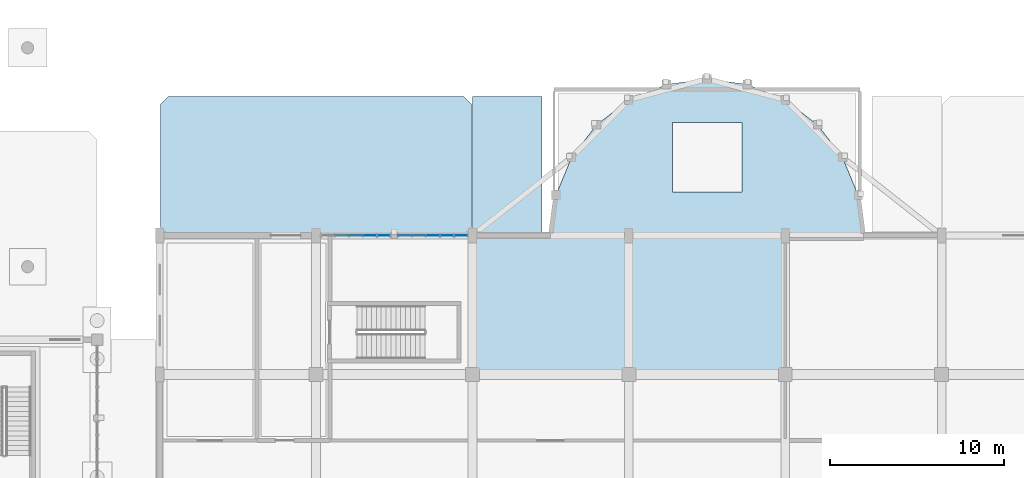
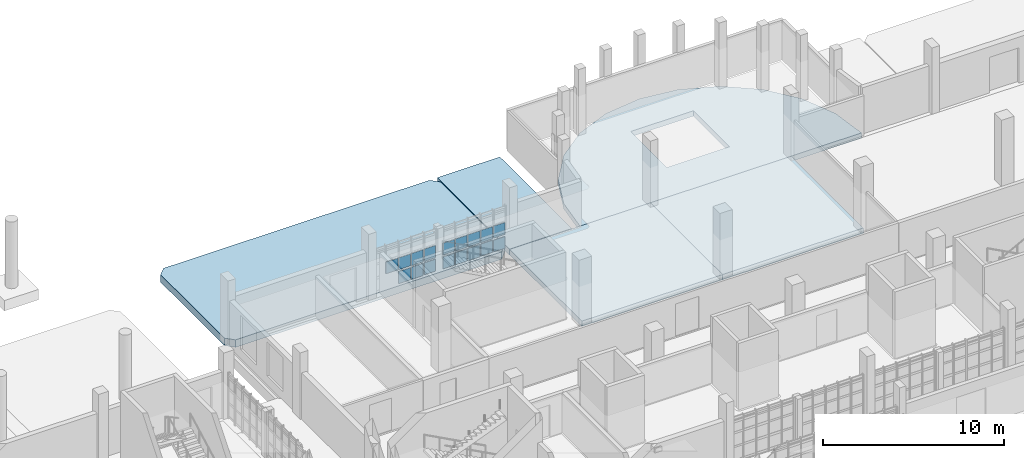
# One storey, part 33 of 63: 17 plates, 5 slabs, 2 elements without a shape of their own.
"""IFC4 building model written with IfcOpenShell, lengths in metres."""

from ifc_helpers import new_model, si_unit, direction, frame, origin, origin_2d, place, context, subcontext, project, spatial, polyline, rectangle, outline, extrude, material, layer, layer_set, type_object, element, aggregate, save


model = new_model("IFC4")

# Units and contexts
model_context = context("Model", 3, precision=1e-05, world=origin(), true_north=direction((0.0, 1.0)))
body_context = subcontext(model_context, "Body", "Model", "MODEL_VIEW")
ifc_project = project(units=[si_unit("LENGTHUNIT", "METRE"), si_unit("AREAUNIT", "SQUARE_METRE"), si_unit("VOLUMEUNIT", "CUBIC_METRE"), si_unit("PLANEANGLEUNIT", "RADIAN"), si_unit("MASSUNIT", "GRAM", prefix="KILO")], contexts=[model_context])

# Site, building, storey
site_placement = place(None, origin())
site = spatial("IfcSite", under=ifc_project, at=site_placement, CompositionType="ELEMENT")
building_placement = place(site_placement, origin())
building = spatial("IfcBuilding", under=site, at=building_placement, Name="Serraforn Aerial Cableway Station", CompositionType="ELEMENT")
storey_placement = place(building_placement, origin())
storey = spatial("IfcBuildingStorey", under=building, at=storey_placement, Name="L00", CompositionType="ELEMENT", Elevation=0.0)

# Curtain wall, plates
ifc_material_1 = material(Name="Anodised bronze unitised curtain wall")
curtain_wall_type_1 = type_object("IfcCurtainWallType", Name="CW-SYS-1", PredefinedType="USERDEFINED", material=ifc_material_1)
curtain_wall_1_placement = place(storey_placement, origin())
curtain_wall_1 = element("IfcCurtainWall", 1, at=curtain_wall_1_placement, inside=storey, type_object=curtain_wall_type_1, Name="Unitised Curtain Wall CW-CV-L00-N2A", ObjectType="UNITISED CURTAIN WALL", PredefinedType="USERDEFINED")
ifc_material_2 = material(Name="Solar-control low-E double glazing", Category="glass")
ifc_layer_1 = layer(ifc_material_2, 0.028076171875)
ifc_layer_set_1 = layer_set([ifc_layer_1], Name="Solar-control low-E double glazing")
plate_type_1 = type_object("IfcPlateType", Name="CW-GLZ-2", PredefinedType="CURTAIN_PANEL", material=ifc_layer_set_1)
plate_1_placement = place(storey_placement, frame((44.9296875, 42.0, 0.19775390625), z_axis=(0.0, 0.0, 1.0), x_axis=(1.0, 0.0, 0.0)))
plate_1 = element("IfcPlate", 2, at=plate_1_placement, type_object=plate_type_1, Name="Curtain Wall Panel CW-CV-L00-N2A-P1-1", PredefinedType="CURTAIN_PANEL", context=body_context, shape_type="SweptSolid", body=[
    extrude(rectangle(XDim=0.718505859375, YDim=0.028076171875, at=origin_2d()), origin(), (0.0, 0.0, 1.0), 0.782470703125),
])
ifc_layer_2 = layer(ifc_material_2, 0.030029296875)
ifc_layer_set_2 = layer_set([ifc_layer_2], Name="Solar-control low-E double glazing")
plate_type_2 = type_object("IfcPlateType", Name="CW-GLZ-3", PredefinedType="CURTAIN_PANEL", material=ifc_layer_set_2)
plate_2_placement = place(storey_placement, frame((44.9296875, 42.0, 1.14111328125), z_axis=(0.0, 0.0, 1.0), x_axis=(1.0, 0.0, 0.0)))
plate_2 = element("IfcPlate", 3, at=plate_2_placement, type_object=plate_type_2, Name="Curtain Wall Panel CW-CV-L00-N2A-P1-2", PredefinedType="CURTAIN_PANEL", context=body_context, shape_type="SweptSolid", body=[
    extrude(rectangle(XDim=0.718505859375, YDim=0.030029296875, at=origin_2d()), origin(), (0.0, 0.0, 1.0), 0.802490234375),
])
plate_3_placement = place(storey_placement, frame((44.131591796875, 42.0, 0.20556640625), z_axis=(0.0, 0.0, 1.0), x_axis=(1.0, 0.0, 0.0)))
plate_3 = element("IfcPlate", 4, at=plate_3_placement, type_object=plate_type_2, Name="Curtain Wall Panel CW-CV-L00-N2A-P2-1", PredefinedType="CURTAIN_PANEL", context=body_context, shape_type="SweptSolid", body=[
    extrude(rectangle(XDim=0.745849609375, YDim=0.030029296875, at=origin_2d()), origin(), (0.0, 0.0, 1.0), 0.802490234375),
])

# Curtain wall, plate
curtain_wall_type_2 = type_object("IfcCurtainWallType", Name="CW-SYS-2", PredefinedType="USERDEFINED", material=ifc_material_1)
curtain_wall_2_placement = place(storey_placement, origin())
curtain_wall_2 = element("IfcCurtainWall", 5, at=curtain_wall_2_placement, inside=storey, type_object=curtain_wall_type_2, Name="Unitised Curtain Wall CW-CV-L00-N2B", ObjectType="UNITISED CURTAIN WALL", PredefinedType="USERDEFINED")
plate_4_placement = place(storey_placement, frame((40.49658203125, 42.0, 0.20556640625), z_axis=(0.0, 0.0, 1.0), x_axis=(1.0, 0.0, 0.0)))
plate_4 = element("IfcPlate", 6, at=plate_4_placement, type_object=plate_type_2, Name="Curtain Wall Panel CW-CV-L00-N2B-P1-1", PredefinedType="CURTAIN_PANEL", context=body_context, shape_type="SweptSolid", body=[
    extrude(rectangle(XDim=0.7109375, YDim=0.030029296875, at=origin_2d()), origin(), (0.0, 0.0, 1.0), 0.802490234375),
])

# Plate
ifc_layer_3 = layer(ifc_material_2, 0.031982421875)
ifc_layer_set_3 = layer_set([ifc_layer_3], Name="Solar-control low-E double glazing")
plate_type_3 = type_object("IfcPlateType", Name="CW-GLZ-4", PredefinedType="CURTAIN_PANEL", material=ifc_layer_set_3)
plate_5_placement = place(storey_placement, frame((44.131591796875, 42.0, 1.11376953125), z_axis=(0.0, 0.0, 1.0), x_axis=(1.0, 0.0, 0.0)))
plate_5 = element("IfcPlate", 7, at=plate_5_placement, type_object=plate_type_3, Name="Curtain Wall Panel CW-CV-L00-N2A-P2-2", PredefinedType="CURTAIN_PANEL", context=body_context, shape_type="SweptSolid", body=[
    extrude(rectangle(XDim=0.745849609375, YDim=0.031982421875, at=origin_2d()), origin(), (0.0, 0.0, 1.0), 0.824951171875),
])

plate_6_placement = place(storey_placement, frame((43.31103515625, 42.0, 0.177734375), z_axis=(0.0, 0.0, 1.0), x_axis=(1.0, 0.0, 0.0)))
plate_6 = element("IfcPlate", 8, at=plate_6_placement, type_object=plate_type_3, Name="Curtain Wall Panel CW-CV-L00-N2A-P3-1", PredefinedType="CURTAIN_PANEL", context=body_context, shape_type="SweptSolid", body=[
    extrude(rectangle(XDim=0.75341796875, YDim=0.031982421875, at=origin_2d()), origin(), (0.0, 0.0, 1.0), 0.824951171875),
])

plate_7_placement = place(storey_placement, frame((40.49658203125, 42.0, 1.11376953125), z_axis=(0.0, 0.0, 1.0), x_axis=(1.0, 0.0, 0.0)))
plate_7 = element("IfcPlate", 9, at=plate_7_placement, type_object=plate_type_3, Name="Curtain Wall Panel CW-CV-L00-N2B-P1-2", PredefinedType="CURTAIN_PANEL", context=body_context, shape_type="SweptSolid", body=[
    extrude(rectangle(XDim=0.7109375, YDim=0.031982421875, at=origin_2d()), origin(), (0.0, 0.0, 1.0), 0.824951171875),
])

plate_8_placement = place(storey_placement, frame((39.693359375, 42.0, 0.177734375), z_axis=(0.0, 0.0, 1.0), x_axis=(1.0, 0.0, 0.0)))
plate_8 = element("IfcPlate", 10, at=plate_8_placement, type_object=plate_type_3, Name="Curtain Wall Panel CW-CV-L00-N2B-P2-1", PredefinedType="CURTAIN_PANEL", context=body_context, shape_type="SweptSolid", body=[
    extrude(rectangle(XDim=0.75341796875, YDim=0.031982421875, at=origin_2d()), origin(), (0.0, 0.0, 1.0), 0.824951171875),
])

ifc_layer_4 = layer(ifc_material_2, 0.033935546875)
ifc_layer_set_4 = layer_set([ifc_layer_4], Name="Solar-control low-E double glazing")
plate_type_4 = type_object("IfcPlateType", Name="CW-GLZ-5", PredefinedType="CURTAIN_PANEL", material=ifc_layer_set_4)
plate_9_placement = place(storey_placement, frame((43.31103515625, 42.0, 1.118896484375), z_axis=(0.0, 0.0, 1.0), x_axis=(1.0, 0.0, 0.0)))
plate_9 = element("IfcPlate", 11, at=plate_9_placement, type_object=plate_type_4, Name="Curtain Wall Panel CW-CV-L00-N2A-P3-2", PredefinedType="CURTAIN_PANEL", context=body_context, shape_type="SweptSolid", body=[
    extrude(rectangle(XDim=0.75341796875, YDim=0.033935546875, at=origin_2d()), origin(), (0.0, 0.0, 1.0), 0.8125),
])

plate_10_placement = place(storey_placement, frame((42.5029296875, 42.0, 0.182861328125), z_axis=(0.0, 0.0, 1.0), x_axis=(1.0, 0.0, 0.0)))
plate_10 = element("IfcPlate", 12, at=plate_10_placement, type_object=plate_type_4, Name="Curtain Wall Panel CW-CV-L00-N2A-P4-1", PredefinedType="CURTAIN_PANEL", context=body_context, shape_type="SweptSolid", body=[
    extrude(rectangle(XDim=0.760986328125, YDim=0.033935546875, at=origin_2d()), origin(), (0.0, 0.0, 1.0), 0.8125),
])

plate_11_placement = place(storey_placement, frame((39.693359375, 42.0, 1.118896484375), z_axis=(0.0, 0.0, 1.0), x_axis=(1.0, 0.0, 0.0)))
plate_11 = element("IfcPlate", 13, at=plate_11_placement, type_object=plate_type_4, Name="Curtain Wall Panel CW-CV-L00-N2B-P2-2", PredefinedType="CURTAIN_PANEL", context=body_context, shape_type="SweptSolid", body=[
    extrude(rectangle(XDim=0.75341796875, YDim=0.033935546875, at=origin_2d()), origin(), (0.0, 0.0, 1.0), 0.8125),
])

plate_12_placement = place(storey_placement, frame((38.88525390625, 42.0, 0.182861328125), z_axis=(0.0, 0.0, 1.0), x_axis=(1.0, 0.0, 0.0)))
plate_12 = element("IfcPlate", 14, at=plate_12_placement, type_object=plate_type_4, Name="Curtain Wall Panel CW-CV-L00-N2B-P3-1", PredefinedType="CURTAIN_PANEL", context=body_context, shape_type="SweptSolid", body=[
    extrude(rectangle(XDim=0.760986328125, YDim=0.033935546875, at=origin_2d()), origin(), (0.0, 0.0, 1.0), 0.8125),
])

ifc_layer_5 = layer(ifc_material_2, 0.035888671875)
ifc_layer_set_5 = layer_set([ifc_layer_5], Name="Solar-control low-E double glazing")
plate_type_5 = type_object("IfcPlateType", Name="CW-GLZ-6", PredefinedType="CURTAIN_PANEL", material=ifc_layer_set_5)
plate_13_placement = place(storey_placement, frame((42.5029296875, 42.0, 1.1259765625), z_axis=(0.0, 0.0, 1.0), x_axis=(1.0, 0.0, 0.0)))
plate_13 = element("IfcPlate", 15, at=plate_13_placement, type_object=plate_type_5, Name="Curtain Wall Panel CW-CV-L00-N2A-P4-2", PredefinedType="CURTAIN_PANEL", context=body_context, shape_type="SweptSolid", body=[
    extrude(rectangle(XDim=0.760986328125, YDim=0.035888671875, at=origin_2d()), origin(), (0.0, 0.0, 1.0), 0.797607421875),
])

plate_14_placement = place(storey_placement, frame((41.70458984375, 42.0, 0.1904296875), z_axis=(0.0, 0.0, 1.0), x_axis=(1.0, 0.0, 0.0)))
plate_14 = element("IfcPlate", 16, at=plate_14_placement, type_object=plate_type_5, Name="Curtain Wall Panel CW-CV-L00-N2A-P5-1", PredefinedType="CURTAIN_PANEL", context=body_context, shape_type="SweptSolid", body=[
    extrude(rectangle(XDim=0.723388671875, YDim=0.035888671875, at=origin_2d()), origin(), (0.0, 0.0, 1.0), 0.797607421875),
])

plate_15_placement = place(storey_placement, frame((38.88525390625, 42.0, 1.1259765625), z_axis=(0.0, 0.0, 1.0), x_axis=(1.0, 0.0, 0.0)))
plate_15 = element("IfcPlate", 17, at=plate_15_placement, type_object=plate_type_5, Name="Curtain Wall Panel CW-CV-L00-N2B-P3-2", PredefinedType="CURTAIN_PANEL", context=body_context, shape_type="SweptSolid", body=[
    extrude(rectangle(XDim=0.760986328125, YDim=0.035888671875, at=origin_2d()), origin(), (0.0, 0.0, 1.0), 0.797607421875),
])

ifc_layer_6 = layer(ifc_material_2, 0.029052734375)
ifc_layer_set_6 = layer_set([ifc_layer_6], Name="Solar-control low-E double glazing")
plate_type_6 = type_object("IfcPlateType", Name="CW-GLZ-7", PredefinedType="CURTAIN_PANEL", material=ifc_layer_set_6)
plate_16_placement = place(storey_placement, frame((41.70458984375, 42.0, 1.1337890625), z_axis=(0.0, 0.0, 1.0), x_axis=(1.0, 0.0, 0.0)))
plate_16 = element("IfcPlate", 18, at=plate_16_placement, type_object=plate_type_6, Name="Curtain Wall Panel CW-CV-L00-N2A-P5-2", PredefinedType="CURTAIN_PANEL", context=body_context, shape_type="SweptSolid", body=[
    extrude(rectangle(XDim=0.723388671875, YDim=0.029052734375, at=origin_2d()), origin(), (0.0, 0.0, 1.0), 0.782470703125),
])

aggregate(curtain_wall_1, [plate_1, plate_2, plate_3, plate_5, plate_6, plate_9, plate_10, plate_13, plate_14, plate_16])

plate_17_placement = place(storey_placement, frame((38.07080078125, 42.0, 1.1337890625), z_axis=(0.0, 0.0, 1.0), x_axis=(1.0, 0.0, 0.0)))
plate_17 = element("IfcPlate", 19, at=plate_17_placement, type_object=plate_type_6, Name="Curtain Wall Panel CW-CV-L00-N2B-P4-2", PredefinedType="CURTAIN_PANEL", context=body_context, shape_type="SweptSolid", body=[
    extrude(rectangle(XDim=0.755859375, YDim=0.029052734375, at=origin_2d()), origin(), (0.0, 0.0, 1.0), 0.782470703125),
])

aggregate(curtain_wall_2, [plate_4, plate_7, plate_8, plate_11, plate_12, plate_15, plate_17])

# Slabs
ifc_material_3 = material(Name="Concrete C40/50", Category="concrete")
ifc_layer_7 = layer(ifc_material_3, 0.360107421875)
ifc_layer_set_7 = layer_set([ifc_layer_7], Name="Concrete C40/50")
slab_type_1 = type_object("IfcSlabType", Name="SLB-FLR-360", PredefinedType="FLOOR", material=ifc_layer_set_7)
slab_1_placement = place(storey_placement, frame((0.0, 0.0, -0.360107421875)))
element("IfcSlab", 20, at=slab_1_placement, inside=storey, type_object=slab_type_1, Name="Floor Slab CV-L00-3-3", PredefinedType="FLOOR", context=body_context, shape_type="SweptSolid", body=[
    extrude(outline(polyline([(45.60009765625, 34.0), (54.60009765625, 34.0), (54.60009765625, 42.0), (45.60009765625, 42.0), (45.60009765625, 34.0)])), origin(), (0.0, 0.0, 1.0), 0.360107421875),
])
slab_2_placement = place(storey_placement, frame((0.0, 0.0, -0.360107421875)))
element("IfcSlab", 21, at=slab_2_placement, inside=storey, type_object=slab_type_1, Name="Floor Slab CV-L00-4-3", PredefinedType="FLOOR", context=body_context, shape_type="SweptSolid", body=[
    extrude(outline(polyline([(54.60009765625, 34.0), (63.60009765625, 34.0), (63.60009765625, 42.0), (54.60009765625, 42.0), (54.60009765625, 34.0)])), origin(), (0.0, 0.0, 1.0), 0.360107421875),
])
slab_3_placement = place(storey_placement, frame((0.0, 0.0, -0.360107421875)))
element("IfcSlab", 22, at=slab_3_placement, inside=storey, type_object=slab_type_1, Name="Bullwheel Apse Slab L00", PredefinedType="FLOOR", context=body_context, shape_type="SweptSolid", body=[
    extrude(outline(polyline([(50.10009765625, 42.0), (50.10009765625, 42.0), (50.40673828125, 44.329345703125), (51.305908203125, 46.5), (52.736083984375, 48.364013671875), (54.60009765625, 49.794189453125), (56.7705078125, 50.693359375), (59.10009765625, 51.0), (61.429443359375, 50.693359375), (63.60009765625, 49.794189453125), (65.464111328125, 48.364013671875), (66.894287109375, 46.5), (67.793212890625, 44.329345703125), (68.10009765625, 42.0), (68.10009765625, 42.0), (50.10009765625, 42.0)]), holes=[polyline([(57.10009765625, 44.5), (61.10009765625, 44.5), (61.10009765625, 48.5), (57.10009765625, 48.5), (57.10009765625, 44.5)])]), origin(), (0.0, 0.0, 1.0), 0.360107421875),
])
ifc_material_4 = material(Name="Concrete C35/45", Category="concrete")
ifc_layer_8 = layer(ifc_material_4, 0.385009765625)
ifc_layer_set_8 = layer_set([ifc_layer_8], Name="Concrete C35/45")
slab_type_2 = type_object("IfcSlabType", Name="SLB-PLZ-385", PredefinedType="FLOOR", material=ifc_layer_set_8)
slab_4_placement = place(storey_placement, frame((0.0, 0.0, -0.385009765625)))
element("IfcSlab", 23, at=slab_4_placement, inside=storey, type_object=slab_type_2, Name="Apse Flank Promenade Deck S-1", PredefinedType="FLOOR", context=body_context, shape_type="SweptSolid", body=[
    extrude(outline(polyline([(45.60009765625, 42.02001953125), (49.60009765625, 42.02001953125), (49.60009765625, 50.0), (45.60009765625, 50.0), (45.60009765625, 42.02001953125)])), origin(), (0.0, 0.0, 1.0), 0.385009765625),
])
ifc_layer_9 = layer(ifc_material_4, 0.5048828125)
ifc_layer_set_9 = layer_set([ifc_layer_9], Name="Concrete C35/45")
slab_type_3 = type_object("IfcSlabType", Name="SLB-PLZ-505", PredefinedType="FLOOR", material=ifc_layer_set_9)
slab_5_placement = place(storey_placement, frame((0.0, 0.0, -0.5048828125)))
element("IfcSlab", 24, at=slab_5_placement, inside=storey, type_object=slab_type_3, Name="Forecourt and Cloister Colonnade Terrace PLZ-N-03", PredefinedType="FLOOR", context=body_context, shape_type="SweptSolid", body=[
    extrude(outline(polyline([(28.10009765625, 42.02001953125), (45.10009765625, 42.02001953125), (45.550048828125, 42.469970703125), (45.550048828125, 49.550048828125), (45.10009765625, 50.0), (28.10009765625, 50.0), (27.64990234375, 49.550048828125), (27.64990234375, 42.469970703125), (28.10009765625, 42.02001953125)])), origin(), (0.0, 0.0, 1.0), 0.5048828125),
])

save(model, "model.ifc")
